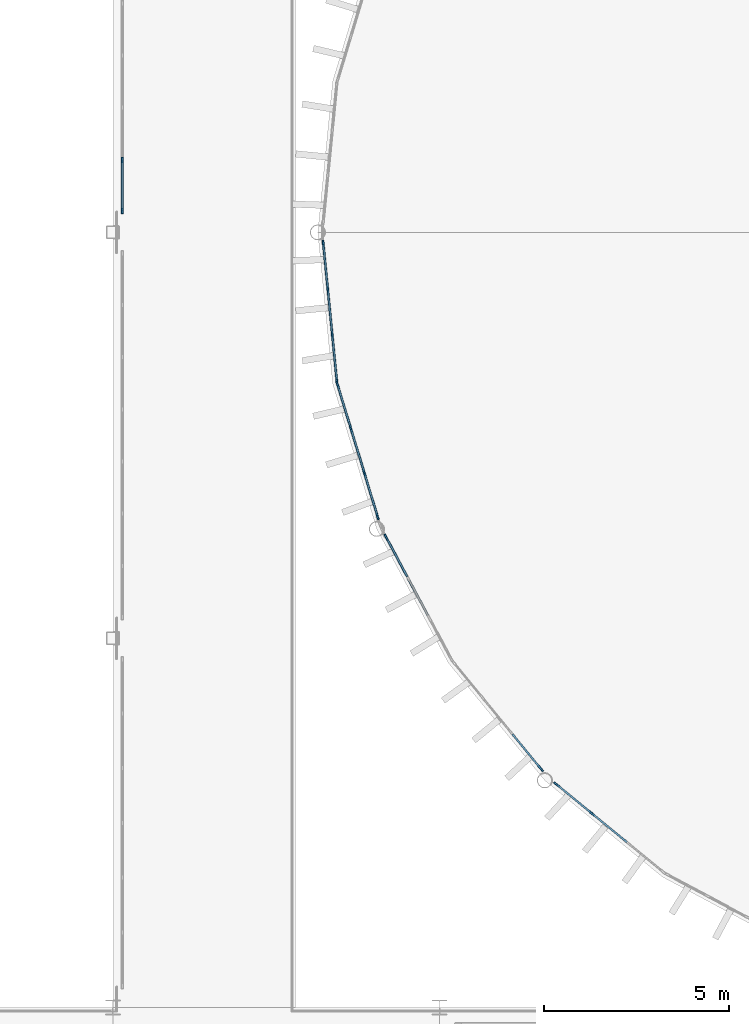
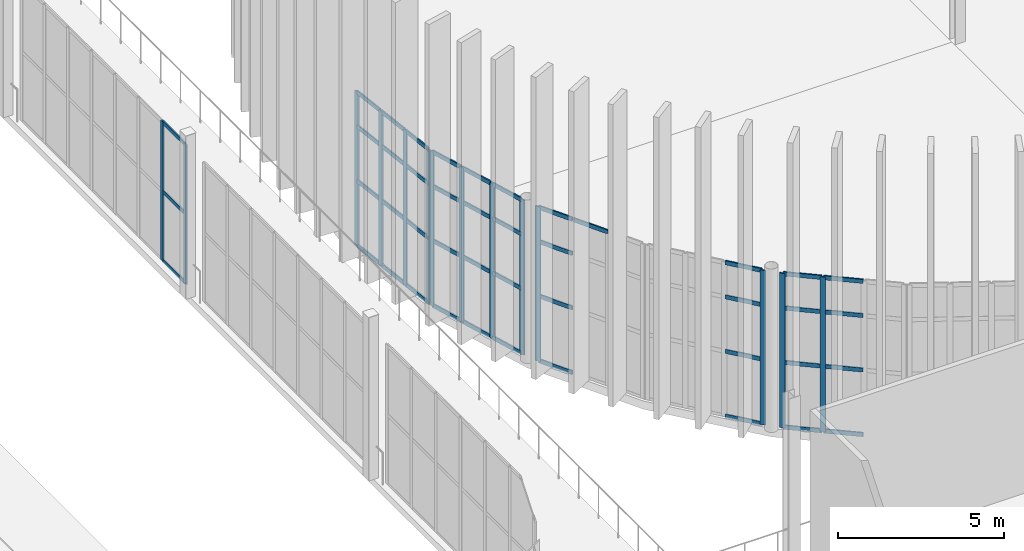
# One storey, part 42 of 139: 58 members, 6 elements without a shape of their own.
"""IFC4 building model written with IfcOpenShell, lengths in metres."""

import ifcopenshell
import ifcopenshell.guid

model = None  # the IFC model being written
_history = None  # IfcOwnerHistory: only IFC2X3 demands one
_inside = {}  # id of a spatial element -> (the spatial element, [elements in it])
_under = {}  # id of a project, library or spatial element -> (it, [spatial elements below it])
_declared = {}  # id of a project -> (the project, [libraries it declares])
_typed = {}  # id of a type object -> (the type object, [elements of that type])
_made_of = {}  # id of a material, layer set ... -> (it, [elements and type objects made of it])


def new_model(schema):
    """Start an empty IFC model of exactly this schema.

    Asked for "IFC4X3", IfcOpenShell would pick the latest addendum, in which some entities
    have other attributes; the version numbers below select the first issue.
    IFC2X3 requires an IfcOwnerHistory on every rooted entity: one is made here for all.
    """
    global model, _history
    if schema == "IFC4X3":
        model = ifcopenshell.file(schema_version=(4, 3, 0, 0))
    else:
        model = ifcopenshell.file(schema=schema)
    _inside.clear()
    _under.clear()
    _declared.clear()
    _typed.clear()
    _made_of.clear()
    _history = None
    if model.schema == "IFC2X3":
        org = make("IfcOrganization", Name="unknown")
        user = make(
            "IfcPersonAndOrganization",
            ThePerson=make("IfcPerson", FamilyName="unknown"),
            TheOrganization=org,
        )
        app = make(
            "IfcApplication",
            ApplicationDeveloper=org,
            Version="unknown",
            ApplicationFullName="unknown",
            ApplicationIdentifier="unknown",
        )
        _history = make(
            "IfcOwnerHistory",
            OwningUser=user,
            OwningApplication=app,
            ChangeAction="ADDED",
            CreationDate=0,
        )
    return model


def make(cls, **values):
    """One entity of the class cls with the attributes given. An attribute that is None is left unset."""
    return model.create_entity(
        cls, **{name: value for name, value in values.items() if value is not None}
    )


def rooted(cls, **values):
    """An entity with a GlobalId (a new one), such as an element, a storey or a relation."""
    return make(cls, GlobalId=ifcopenshell.guid.new(), OwnerHistory=_history, **values)


def si_unit(unit_type, name, prefix=None):
    """IfcSIUnit, for example si_unit("LENGTHUNIT", "METRE", prefix="MILLI")."""
    return make("IfcSIUnit", UnitType=unit_type, Prefix=prefix, Name=name)


def assignment(units):
    """IfcUnitAssignment: the units of a project."""
    return None if units is None else make("IfcUnitAssignment", Units=units)


def point(xyz):
    """IfcCartesianPoint."""
    return None if xyz is None else make("IfcCartesianPoint", Coordinates=xyz)


def direction(xyz):
    """IfcDirection."""
    return None if xyz is None else make("IfcDirection", DirectionRatios=xyz)


def frame(location, z_axis=None, x_axis=None):
    """IfcAxis2Placement3D, a coordinate frame: its origin and axes. An axis left out is left unset."""
    return make(
        "IfcAxis2Placement3D",
        Location=point(location),
        Axis=direction(z_axis),
        RefDirection=direction(x_axis),
    )


def frame_2d(location, x_axis=None):
    """IfcAxis2Placement2D, a coordinate frame in the plane: its origin and x axis."""
    return make(
        "IfcAxis2Placement2D", Location=point(location), RefDirection=direction(x_axis)
    )


def origin():
    """The frame at (0, 0, 0) with its axes left unset."""
    return frame((0.0, 0.0, 0.0))


def origin_2d():
    """The frame at (0, 0) in the plane with its x axis left unset."""
    return frame_2d((0.0, 0.0))


def place(relative_to, where):
    """IfcLocalPlacement: puts the frame where relative to a parent placement (None: the world)."""
    return make(
        "IfcLocalPlacement", PlacementRelTo=relative_to, RelativePlacement=where
    )


def context(
    kind, dimensions, precision=None, world=None, true_north=None, identifier=None
):
    """IfcGeometricRepresentationContext, for example the 3D "Model" context."""
    return make(
        "IfcGeometricRepresentationContext",
        ContextIdentifier=identifier,
        ContextType=kind,
        CoordinateSpaceDimension=dimensions,
        Precision=precision,
        WorldCoordinateSystem=world,
        TrueNorth=true_north,
    )


def subcontext(parent, identifier, kind, view, scale=None):
    """IfcGeometricRepresentationSubContext, for example "Body" below "Model"."""
    return make(
        "IfcGeometricRepresentationSubContext",
        ContextIdentifier=identifier,
        ContextType=kind,
        ParentContext=parent,
        TargetScale=scale,
        TargetView=view,
    )


def project(units=None, contexts=None):
    """IfcProject with its units and contexts."""
    return rooted(
        "IfcProject",
        Name="project",
        RepresentationContexts=contexts,
        UnitsInContext=assignment(units),
    )


def spatial(cls, under=None, at=None, **own):
    """A site, building, storey or space (cls), placed at a placement, below another one or the project."""
    s = rooted(cls, ObjectPlacement=at, **own)
    if under is not None:
        _under.setdefault(under.id(), (under, []))[1].append(s)
    return s


def profile(cls, at=None, kind="AREA", **sizes):
    """A parametric profile (cls). Its sizes go by their IFC names, for example OverallWidth=200.0."""
    return make(cls, ProfileType=kind, Position=at, **sizes)


def rectangle(**sizes):
    """IfcRectangleProfileDef."""
    return profile("IfcRectangleProfileDef", **sizes)


def extrude(swept, where, along, depth):
    """IfcExtrudedAreaSolid: the profile swept, set in the frame where, extruded along a direction by depth."""
    return make(
        "IfcExtrudedAreaSolid",
        SweptArea=swept,
        Position=where,
        ExtrudedDirection=direction(along),
        Depth=depth,
    )


def shape(context_of_items, identifier, shape_type, items):
    """IfcShapeRepresentation: the items that make up one representation, for example the "Body"."""
    return make(
        "IfcShapeRepresentation",
        ContextOfItems=context_of_items,
        RepresentationIdentifier=identifier,
        RepresentationType=shape_type,
        Items=items,
    )


def material(Name=None, Category=None):
    """IfcMaterial."""
    return make("IfcMaterial", Name=Name, Category=Category)


def layer(
    of_material, thickness, ventilated=None, Name=None, Category=None, Priority=None
):
    """IfcMaterialLayer: one layer of a wall or slab, of a material (None: an air gap)."""
    return make(
        "IfcMaterialLayer",
        Material=of_material,
        LayerThickness=thickness,
        IsVentilated=ventilated,
        Name=Name,
        Category=Category,
        Priority=Priority,
    )


def layer_set(layers, Name=None):
    """IfcMaterialLayerSet."""
    return make("IfcMaterialLayerSet", MaterialLayers=layers, LayerSetName=Name)


def material_profile(
    of_material, cross_section, Name=None, Category=None, Priority=None
):
    """IfcMaterialProfile: a cross section and its material."""
    return make(
        "IfcMaterialProfile",
        Name=Name,
        Material=of_material,
        Profile=cross_section,
        Priority=Priority,
        Category=Category,
    )


def profile_set(profiles, Name=None, composite=None):
    """IfcMaterialProfileSet."""
    return make(
        "IfcMaterialProfileSet",
        Name=Name,
        MaterialProfiles=profiles,
        CompositeProfile=composite,
    )


def made_of(thing, what):
    """Note that an element or type object is made of a material, layer set ...; save() writes the relation."""
    if what is not None:
        _made_of.setdefault(what.id(), (what, []))[1].append(thing)
    return thing


def type_object(cls, material=None, **own):
    """A type object (cls), such as IfcWallType, which elements share."""
    return made_of(rooted(cls, **own), material)


def element(
    cls,
    number,
    at=None,
    inside=None,
    cuts=None,
    type_object=None,
    material=None,
    context=None,
    identifier="Body",
    shape_type=None,
    held_by="IfcProductDefinitionShape",
    body=None,
    shapes=None,
    **own,
):
    """One element of the class cls, such as IfcWall. Its Tag is "e" and its number.

    at: its placement. inside: the storey or other place that contains it. cuts: it is an
    opening in that element (IfcRelVoidsElement). A single representation is given by context,
    identifier, shape_type and body (its items); several are given by shapes. held_by: the class
    of the entity that holds the representations. save() writes the other relations.
    """
    e = rooted(cls, Tag="e%d" % number, ObjectPlacement=at, **own)
    if body is not None:
        shapes = [shape(context, identifier, shape_type, body)]
    if shapes is not None:
        e.Representation = make(held_by, Representations=shapes)
    if inside is not None:
        _inside.setdefault(inside.id(), (inside, []))[1].append(e)
    if cuts is not None:
        rooted(
            "IfcRelVoidsElement", RelatingBuildingElement=cuts, RelatedOpeningElement=e
        )
    if type_object is not None:
        _typed.setdefault(type_object.id(), (type_object, []))[1].append(e)
    return made_of(e, material)


def aggregate(whole, parts):
    """IfcRelAggregates: a whole, such as a stair, and the parts it consists of."""
    return rooted("IfcRelAggregates", RelatingObject=whole, RelatedObjects=parts)


def save(model, path):
    """Write the relations noted so far, then the file.

    IfcRelAggregates (storeys below a building ...), IfcRelContainedInSpatialStructure (elements
    in a storey), IfcRelDefinesByType, IfcRelAssociatesMaterial and IfcRelDeclares: one each for
    every whole, place, type object, material and project.
    """
    for whole, parts in _under.values():
        aggregate(whole, parts)
    for where, things in _inside.values():
        rooted(
            "IfcRelContainedInSpatialStructure",
            RelatedElements=things,
            RelatingStructure=where,
        )
    for kind, things in _typed.values():
        rooted("IfcRelDefinesByType", RelatedObjects=things, RelatingType=kind)
    for what, things in _made_of.values():
        rooted("IfcRelAssociatesMaterial", RelatedObjects=things, RelatingMaterial=what)
    for by, libraries in _declared.values():
        rooted("IfcRelDeclares", RelatingContext=by, RelatedDefinitions=libraries)
    model.write(path)


model = new_model("IFC4")

# Units and contexts
model_context = context("Model", 3, precision=1e-05, world=origin(), true_north=direction((0.0, 1.0)))
body_context = subcontext(model_context, "Body", "Model", "MODEL_VIEW")
ifc_project = project(units=[si_unit("LENGTHUNIT", "METRE"), si_unit("AREAUNIT", "SQUARE_METRE"), si_unit("VOLUMEUNIT", "CUBIC_METRE"), si_unit("PLANEANGLEUNIT", "RADIAN"), si_unit("MASSUNIT", "GRAM", prefix="KILO")], contexts=[model_context])

# Site, building, storey
site_placement = place(None, origin())
site = spatial("IfcSite", under=ifc_project, at=site_placement, CompositionType="ELEMENT")
building_placement = place(site_placement, origin())
building = spatial("IfcBuilding", under=site, at=building_placement, Name="Yeouljin Market Hall", CompositionType="ELEMENT")
storey_placement = place(building_placement, origin())
storey = spatial("IfcBuildingStorey", under=building, at=storey_placement, Name="L00", CompositionType="ELEMENT", Elevation=0.0)

# Curtain wall, members
ifc_material_1 = material(Name="Thermally Broken Aluminium", Category="aluminium")
ifc_layer_1 = layer(ifc_material_1, 0.14990234375)
ifc_layer_set_1 = layer_set([ifc_layer_1], Name="Thermally Broken Aluminium")
curtain_wall_type_1 = type_object("IfcCurtainWallType", Name="CW_WingStorefront_System", PredefinedType="USERDEFINED", material=ifc_layer_set_1)
curtain_wall_1_placement = place(storey_placement, origin())
curtain_wall_1 = element("IfcCurtainWall", 1, at=curtain_wall_1_placement, inside=storey, type_object=curtain_wall_type_1, Name="Curtain wall CW-CRT-L00-07", ObjectType="CURTAIN WALL", PredefinedType="USERDEFINED")
ifc_material_2 = material(Name="Thermally Broken Aluminium", Category="aluminium")
ifc_material_profile_1 = material_profile(ifc_material_2, rectangle(XDim=0.048095703125, YDim=0.14990234375, at=origin_2d()), Name="CW-MULL-48x150")
ifc_profile_set_1 = profile_set([ifc_material_profile_1], Name="Thermally Broken Aluminium")
member_type_1 = type_object("IfcMemberType", Name="CWMullion_48x150", PredefinedType="MULLION", material=ifc_profile_set_1)
member_1_placement = place(storey_placement, frame((9.10009765625, 57.573974609375, 0.0), z_axis=(0.0, 0.0, 1.0), x_axis=(-1.0, 0.0, 0.0)))
member_1 = element("IfcMember", 2, at=member_1_placement, type_object=member_type_1, Name="CW-04 mullion 1", PredefinedType="MULLION", context=body_context, shape_type="SweptSolid", body=[
    extrude(rectangle(XDim=0.048095703125, YDim=0.14990234375, at=origin_2d()), origin(), (0.0, 0.0, 1.0), 5.1201171875),
])
member_2_placement = place(storey_placement, frame((9.10009765625, 58.96435546875, 0.0), z_axis=(0.0, 0.0, 1.0), x_axis=(-1.0, 0.0, 0.0)))
member_2 = element("IfcMember", 3, at=member_2_placement, type_object=member_type_1, Name="CW-04 mullion 2", PredefinedType="MULLION", context=body_context, shape_type="SweptSolid", body=[
    extrude(rectangle(XDim=0.048095703125, YDim=0.14990234375, at=origin_2d()), origin(), (0.0, 0.0, 1.0), 5.1201171875),
])

ifc_material_3 = material(Name="Thermally Broken Aluminium", Category="aluminium")
ifc_layer_2 = layer(ifc_material_3, 0.179931640625)
ifc_layer_set_2 = layer_set([ifc_layer_2], Name="Thermally Broken Aluminium")
curtain_wall_type_2 = type_object("IfcCurtainWallType", Name="CW_ApseCurved_System", PredefinedType="USERDEFINED", material=ifc_layer_set_2)
curtain_wall_2_placement = place(storey_placement, origin())
curtain_wall_2 = element("IfcCurtainWall", 4, at=curtain_wall_2_placement, inside=storey, type_object=curtain_wall_type_2, Name="Curtain wall CW-AP-WL00-04", ObjectType="CURTAIN WALL", PredefinedType="USERDEFINED")
ifc_material_4 = material(Name="Thermally Broken Aluminium", Category="aluminium")
ifc_material_profile_2 = material_profile(ifc_material_4, rectangle(XDim=0.048095703125, YDim=0.179931640625, at=origin_2d()), Name="CW-MULL-48x180")
ifc_profile_set_2 = profile_set([ifc_material_profile_2], Name="Thermally Broken Aluminium")
member_type_2 = type_object("IfcMemberType", Name="CWMullion_48x180", PredefinedType="MULLION", material=ifc_profile_set_2)
member_3_placement = place(storey_placement, frame((21.82421875, 41.260009765625, 0.0), z_axis=(0.0, 0.0, 1.0), x_axis=(-0.634384432096, -0.773017717982, 0.0)))
member_3 = element("IfcMember", 5, at=member_3_placement, type_object=member_type_2, Name="CW-03 mullion 3", PredefinedType="MULLION", context=body_context, shape_type="SweptSolid", body=[
    extrude(rectangle(XDim=0.048095703125, YDim=0.179931640625, at=origin_2d()), origin(), (0.0, 0.0, 1.0), 5.679931640625),
])
member_4_placement = place(storey_placement, frame((20.87060546875, 42.042724609375, 0.0), z_axis=(0.0, 0.0, 1.0), x_axis=(-0.634384432096, -0.773017717982, 0.0)))
member_4 = element("IfcMember", 6, at=member_4_placement, type_object=member_type_2, Name="CW-03 mullion 4", PredefinedType="MULLION", context=body_context, shape_type="SweptSolid", body=[
    extrude(rectangle(XDim=0.048095703125, YDim=0.179931640625, at=origin_2d()), origin(), (0.0, 0.0, 1.0), 5.679931640625),
])

# Curtain wall, member
curtain_wall_3_placement = place(storey_placement, origin())
curtain_wall_3 = element("IfcCurtainWall", 7, at=curtain_wall_3_placement, inside=storey, type_object=curtain_wall_type_2, Name="Curtain wall CW-AP-WL00-05", ObjectType="CURTAIN WALL", PredefinedType="USERDEFINED")
member_5_placement = place(storey_placement, frame((20.44287109375, 42.470458984375, 0.0), z_axis=(0.0, 0.0, 1.0), x_axis=(-0.773017717982, -0.634384432096, 0.0)))
member_5 = element("IfcMember", 8, at=member_5_placement, type_object=member_type_2, Name="CW-03 mullion 1", PredefinedType="MULLION", context=body_context, shape_type="SweptSolid", body=[
    extrude(rectangle(XDim=0.048095703125, YDim=0.179931640625, at=origin_2d()), origin(), (0.0, 0.0, 1.0), 5.679931640625),
])

curtain_wall_4_placement = place(storey_placement, origin())
curtain_wall_4 = element("IfcCurtainWall", 9, at=curtain_wall_4_placement, inside=storey, type_object=curtain_wall_type_2, Name="Curtain wall CW-AP-WL00-06", ObjectType="CURTAIN WALL", PredefinedType="USERDEFINED")
member_6_placement = place(storey_placement, frame((16.252685546875, 48.741455078125, 0.0), z_axis=(0.0, 0.0, 1.0), x_axis=(-0.881931478712, -0.471377626598, 0.0)))
member_6 = element("IfcMember", 10, at=member_6_placement, type_object=member_type_2, Name="CW-03 mullion 4", PredefinedType="MULLION", context=body_context, shape_type="SweptSolid", body=[
    extrude(rectangle(XDim=0.048095703125, YDim=0.179931640625, at=origin_2d()), origin(), (0.0, 0.0, 1.0), 5.679931640625),
])

# Curtain wall, members
curtain_wall_5_placement = place(storey_placement, origin())
curtain_wall_5 = element("IfcCurtainWall", 11, at=curtain_wall_5_placement, inside=storey, type_object=curtain_wall_type_2, Name="Curtain wall CW-AP-WL00-07", ObjectType="CURTAIN WALL", PredefinedType="USERDEFINED")
member_7_placement = place(storey_placement, frame((16.021240234375, 49.300537109375, 0.0), z_axis=(0.0, 0.0, 1.0), x_axis=(-0.95693988447, -0.290286164863, 0.0)))
member_7 = element("IfcMember", 12, at=member_7_placement, type_object=member_type_2, Name="CW-03 mullion 1", PredefinedType="MULLION", context=body_context, shape_type="SweptSolid", body=[
    extrude(rectangle(XDim=0.048095703125, YDim=0.179931640625, at=origin_2d()), origin(), (0.0, 0.0, 1.0), 5.679931640625),
])
member_8_placement = place(storey_placement, frame((15.6630859375, 50.48095703125, 0.0), z_axis=(0.0, 0.0, 1.0), x_axis=(-0.95693988447, -0.290286164863, 0.0)))
member_8 = element("IfcMember", 13, at=member_8_placement, type_object=member_type_2, Name="CW-03 mullion 2", PredefinedType="MULLION", context=body_context, shape_type="SweptSolid", body=[
    extrude(rectangle(XDim=0.048095703125, YDim=0.179931640625, at=origin_2d()), origin(), (0.0, 0.0, 1.0), 5.679931640625),
])
member_9_placement = place(storey_placement, frame((15.2978515625, 51.6845703125, 0.0), z_axis=(0.0, 0.0, 1.0), x_axis=(-0.95693988447, -0.290286164863, 0.0)))
member_9 = element("IfcMember", 14, at=member_9_placement, type_object=member_type_2, Name="CW-03 mullion 3", PredefinedType="MULLION", context=body_context, shape_type="SweptSolid", body=[
    extrude(rectangle(XDim=0.048095703125, YDim=0.179931640625, at=origin_2d()), origin(), (0.0, 0.0, 1.0), 5.679931640625),
])
member_10_placement = place(storey_placement, frame((14.939697265625, 52.865234375, 0.0), z_axis=(0.0, 0.0, 1.0), x_axis=(-0.95693988447, -0.290286164863, 0.0)))
member_10 = element("IfcMember", 15, at=member_10_placement, type_object=member_type_2, Name="CW-03 mullion 4", PredefinedType="MULLION", context=body_context, shape_type="SweptSolid", body=[
    extrude(rectangle(XDim=0.048095703125, YDim=0.179931640625, at=origin_2d()), origin(), (0.0, 0.0, 1.0), 5.679931640625),
])

curtain_wall_6_placement = place(storey_placement, origin())
curtain_wall_6 = element("IfcCurtainWall", 16, at=curtain_wall_6_placement, inside=storey, type_object=curtain_wall_type_2, Name="Curtain wall CW-AP-WL00-08", ObjectType="CURTAIN WALL", PredefinedType="USERDEFINED")
member_11_placement = place(storey_placement, frame((14.9150390625, 52.990234375, 0.0), z_axis=(0.0, 0.0, 1.0), x_axis=(-0.995183051807, -0.09803414403, 0.0)))
member_11 = element("IfcMember", 17, at=member_11_placement, type_object=member_type_2, Name="CW-03 mullion 1", PredefinedType="MULLION", context=body_context, shape_type="SweptSolid", body=[
    extrude(rectangle(XDim=0.048095703125, YDim=0.179931640625, at=origin_2d()), origin(), (0.0, 0.0, 1.0), 5.679931640625),
])
member_12_placement = place(storey_placement, frame((14.7939453125, 54.218017578125, 0.0), z_axis=(0.0, 0.0, 1.0), x_axis=(-0.995183051807, -0.09803414403, 0.0)))
member_12 = element("IfcMember", 18, at=member_12_placement, type_object=member_type_2, Name="CW-03 mullion 2", PredefinedType="MULLION", context=body_context, shape_type="SweptSolid", body=[
    extrude(rectangle(XDim=0.048095703125, YDim=0.179931640625, at=origin_2d()), origin(), (0.0, 0.0, 1.0), 5.679931640625),
])
member_13_placement = place(storey_placement, frame((14.670654296875, 55.4697265625, 0.0), z_axis=(0.0, 0.0, 1.0), x_axis=(-0.995183051807, -0.09803414403, 0.0)))
member_13 = element("IfcMember", 19, at=member_13_placement, type_object=member_type_2, Name="CW-03 mullion 3", PredefinedType="MULLION", context=body_context, shape_type="SweptSolid", body=[
    extrude(rectangle(XDim=0.048095703125, YDim=0.179931640625, at=origin_2d()), origin(), (0.0, 0.0, 1.0), 5.679931640625),
])
member_14_placement = place(storey_placement, frame((14.5498046875, 56.697509765625, 0.0), z_axis=(0.0, 0.0, 1.0), x_axis=(-0.995183051807, -0.09803414403, 0.0)))
member_14 = element("IfcMember", 20, at=member_14_placement, type_object=member_type_2, Name="CW-03 mullion 4", PredefinedType="MULLION", context=body_context, shape_type="SweptSolid", body=[
    extrude(rectangle(XDim=0.048095703125, YDim=0.179931640625, at=origin_2d()), origin(), (0.0, 0.0, 1.0), 5.679931640625),
])

# Member
ifc_material_5 = material(Name="Thermally Broken Aluminium", Category="aluminium")
ifc_material_profile_3 = material_profile(ifc_material_5, rectangle(XDim=0.048095703125, YDim=0.1201171875, at=origin_2d()), Name="CW-TRAN-48x120")
ifc_profile_set_3 = profile_set([ifc_material_profile_3], Name="Thermally Broken Aluminium")
member_type_3 = type_object("IfcMemberType", Name="CWTransom_48x120", PredefinedType="USERDEFINED", material=ifc_profile_set_3)
member_15_placement = place(storey_placement, frame((9.10009765625, 57.597900390625, 0.02392578125), z_axis=(0.0, 1.0, 0.0), x_axis=(-1.0, 0.0, 0.0)))
member_15 = element("IfcMember", 21, at=member_15_placement, type_object=member_type_3, Name="CW-04 transom 1.1", ObjectType="TRANSOM", PredefinedType="USERDEFINED", context=body_context, shape_type="SweptSolid", body=[
    extrude(rectangle(XDim=0.048095703125, YDim=0.1201171875, at=origin_2d()), origin(), (0.0, 0.0, 1.0), 1.34228515625),
])

member_16_placement = place(storey_placement, frame((9.10009765625, 57.597900390625, 2.56005859375), z_axis=(0.0, 1.0, 0.0), x_axis=(-1.0, 0.0, 0.0)))
member_16 = element("IfcMember", 22, at=member_16_placement, type_object=member_type_3, Name="CW-04 transom 1.2", ObjectType="TRANSOM", PredefinedType="USERDEFINED", context=body_context, shape_type="SweptSolid", body=[
    extrude(rectangle(XDim=0.048095703125, YDim=0.1201171875, at=origin_2d()), origin(), (0.0, 0.0, 1.0), 1.34228515625),
])

member_17_placement = place(storey_placement, frame((9.10009765625, 57.597900390625, 5.095947265625), z_axis=(0.0, 1.0, 0.0), x_axis=(-1.0, 0.0, 0.0)))
member_17 = element("IfcMember", 23, at=member_17_placement, type_object=member_type_3, Name="CW-04 transom 1.3", ObjectType="TRANSOM", PredefinedType="USERDEFINED", context=body_context, shape_type="SweptSolid", body=[
    extrude(rectangle(XDim=0.048095703125, YDim=0.1201171875, at=origin_2d()), origin(), (0.0, 0.0, 1.0), 1.34228515625),
])

aggregate(curtain_wall_1, [member_1, member_2, member_15, member_16, member_17])

ifc_material_6 = material(Name="Thermally Broken Aluminium", Category="aluminium")
ifc_material_profile_4 = material_profile(ifc_material_6, rectangle(XDim=0.048095703125, YDim=0.14990234375, at=origin_2d()), Name="CW-TRAN-48x150")
ifc_profile_set_4 = profile_set([ifc_material_profile_4], Name="Thermally Broken Aluminium")
member_type_4 = type_object("IfcMemberType", Name="CWTransom_48x150", PredefinedType="USERDEFINED", material=ifc_profile_set_4)
member_18_placement = place(storey_placement, frame((22.778076171875, 40.4775390625, 0.02392578125), z_axis=(-0.773111430371, 0.634270223351, 0.0), x_axis=(-0.634270223351, -0.773111430371, 0.0)))
member_18 = element("IfcMember", 24, at=member_18_placement, type_object=member_type_4, Name="CW-03 transom 2.1", ObjectType="TRANSOM", PredefinedType="USERDEFINED", context=body_context, shape_type="SweptSolid", body=[
    extrude(rectangle(XDim=0.048095703125, YDim=0.14990234375, at=origin_2d()), origin(), (0.0, 0.0, 1.0), 1.209716796875),
])

member_19_placement = place(storey_placement, frame((22.778076171875, 40.4775390625, 2.39990234375), z_axis=(-0.773111430371, 0.634270223351, 0.0), x_axis=(-0.634270223351, -0.773111430371, 0.0)))
member_19 = element("IfcMember", 25, at=member_19_placement, type_object=member_type_4, Name="CW-03 transom 2.2", ObjectType="TRANSOM", PredefinedType="USERDEFINED", context=body_context, shape_type="SweptSolid", body=[
    extrude(rectangle(XDim=0.048095703125, YDim=0.14990234375, at=origin_2d()), origin(), (0.0, 0.0, 1.0), 1.209716796875),
])

member_20_placement = place(storey_placement, frame((22.778076171875, 40.4775390625, 4.39990234375), z_axis=(-0.773111430371, 0.634270223351, 0.0), x_axis=(-0.634270223351, -0.773111430371, 0.0)))
member_20 = element("IfcMember", 26, at=member_20_placement, type_object=member_type_4, Name="CW-03 transom 2.3", ObjectType="TRANSOM", PredefinedType="USERDEFINED", context=body_context, shape_type="SweptSolid", body=[
    extrude(rectangle(XDim=0.048095703125, YDim=0.14990234375, at=origin_2d()), origin(), (0.0, 0.0, 1.0), 1.209716796875),
])

member_21_placement = place(storey_placement, frame((22.778076171875, 40.4775390625, 5.656005859375), z_axis=(-0.773111430371, 0.634270223351, 0.0), x_axis=(-0.634270223351, -0.773111430371, 0.0)))
member_21 = element("IfcMember", 27, at=member_21_placement, type_object=member_type_4, Name="CW-03 transom 2.4", ObjectType="TRANSOM", PredefinedType="USERDEFINED", context=body_context, shape_type="SweptSolid", body=[
    extrude(rectangle(XDim=0.048095703125, YDim=0.14990234375, at=origin_2d()), origin(), (0.0, 0.0, 1.0), 1.209716796875),
])

member_22_placement = place(storey_placement, frame((21.8056640625, 41.275390625, 0.02392578125), z_axis=(-0.77299310317, 0.634414424845, 0.0), x_axis=(-0.634414424845, -0.77299310317, 0.0)))
member_22 = element("IfcMember", 28, at=member_22_placement, type_object=member_type_4, Name="CW-03 transom 3.1", ObjectType="TRANSOM", PredefinedType="USERDEFINED", context=body_context, shape_type="SweptSolid", body=[
    extrude(rectangle(XDim=0.048095703125, YDim=0.14990234375, at=origin_2d()), origin(), (0.0, 0.0, 1.0), 1.185546875),
])

member_23_placement = place(storey_placement, frame((21.8056640625, 41.275390625, 2.39990234375), z_axis=(-0.77299310317, 0.634414424845, 0.0), x_axis=(-0.634414424845, -0.77299310317, 0.0)))
member_23 = element("IfcMember", 29, at=member_23_placement, type_object=member_type_4, Name="CW-03 transom 3.2", ObjectType="TRANSOM", PredefinedType="USERDEFINED", context=body_context, shape_type="SweptSolid", body=[
    extrude(rectangle(XDim=0.048095703125, YDim=0.14990234375, at=origin_2d()), origin(), (0.0, 0.0, 1.0), 1.185546875),
])

member_24_placement = place(storey_placement, frame((21.8056640625, 41.275390625, 4.39990234375), z_axis=(-0.77299310317, 0.634414424845, 0.0), x_axis=(-0.634414424845, -0.77299310317, 0.0)))
member_24 = element("IfcMember", 30, at=member_24_placement, type_object=member_type_4, Name="CW-03 transom 3.3", ObjectType="TRANSOM", PredefinedType="USERDEFINED", context=body_context, shape_type="SweptSolid", body=[
    extrude(rectangle(XDim=0.048095703125, YDim=0.14990234375, at=origin_2d()), origin(), (0.0, 0.0, 1.0), 1.185546875),
])

member_25_placement = place(storey_placement, frame((21.8056640625, 41.275390625, 5.656005859375), z_axis=(-0.77299310317, 0.634414424845, 0.0), x_axis=(-0.634414424845, -0.77299310317, 0.0)))
member_25 = element("IfcMember", 31, at=member_25_placement, type_object=member_type_4, Name="CW-03 transom 3.4", ObjectType="TRANSOM", PredefinedType="USERDEFINED", context=body_context, shape_type="SweptSolid", body=[
    extrude(rectangle(XDim=0.048095703125, YDim=0.14990234375, at=origin_2d()), origin(), (0.0, 0.0, 1.0), 1.185546875),
])

aggregate(curtain_wall_2, [member_3, member_4, member_18, member_19, member_20, member_21, member_22, member_23, member_24, member_25])

member_26_placement = place(storey_placement, frame((20.427490234375, 42.489013671875, 0.02392578125), z_axis=(-0.634313456748, 0.773075959133, 0.0), x_axis=(-0.773075959133, -0.634313456748, 0.0)))
member_26 = element("IfcMember", 32, at=member_26_placement, type_object=member_type_4, Name="CW-03 transom 1.1", ObjectType="TRANSOM", PredefinedType="USERDEFINED", context=body_context, shape_type="SweptSolid", body=[
    extrude(rectangle(XDim=0.048095703125, YDim=0.14990234375, at=origin_2d()), origin(), (0.0, 0.0, 1.0), 1.185791015625),
])

member_27_placement = place(storey_placement, frame((20.427490234375, 42.489013671875, 2.39990234375), z_axis=(-0.634313456748, 0.773075959133, 0.0), x_axis=(-0.773075959133, -0.634313456748, 0.0)))
member_27 = element("IfcMember", 33, at=member_27_placement, type_object=member_type_4, Name="CW-03 transom 1.2", ObjectType="TRANSOM", PredefinedType="USERDEFINED", context=body_context, shape_type="SweptSolid", body=[
    extrude(rectangle(XDim=0.048095703125, YDim=0.14990234375, at=origin_2d()), origin(), (0.0, 0.0, 1.0), 1.185791015625),
])

member_28_placement = place(storey_placement, frame((20.427490234375, 42.489013671875, 4.39990234375), z_axis=(-0.634313456748, 0.773075959133, 0.0), x_axis=(-0.773075959133, -0.634313456748, 0.0)))
member_28 = element("IfcMember", 34, at=member_28_placement, type_object=member_type_4, Name="CW-03 transom 1.3", ObjectType="TRANSOM", PredefinedType="USERDEFINED", context=body_context, shape_type="SweptSolid", body=[
    extrude(rectangle(XDim=0.048095703125, YDim=0.14990234375, at=origin_2d()), origin(), (0.0, 0.0, 1.0), 1.185791015625),
])

member_29_placement = place(storey_placement, frame((20.427490234375, 42.489013671875, 5.656005859375), z_axis=(-0.634313456748, 0.773075959133, 0.0), x_axis=(-0.773075959133, -0.634313456748, 0.0)))
member_29 = element("IfcMember", 35, at=member_29_placement, type_object=member_type_4, Name="CW-03 transom 1.4", ObjectType="TRANSOM", PredefinedType="USERDEFINED", context=body_context, shape_type="SweptSolid", body=[
    extrude(rectangle(XDim=0.048095703125, YDim=0.14990234375, at=origin_2d()), origin(), (0.0, 0.0, 1.0), 1.185791015625),
])

aggregate(curtain_wall_3, [member_5, member_26, member_27, member_28, member_29])

member_30_placement = place(storey_placement, frame((17.415771484375, 46.5654296875, 5.656005859375), z_axis=(-0.471425984611, 0.881905630458, 0.0), x_axis=(-0.881905630458, -0.471425984611, 0.0)))
member_30 = element("IfcMember", 36, at=member_30_placement, type_object=member_type_4, Name="CW-03 transom 2.4", ObjectType="TRANSOM", PredefinedType="USERDEFINED", context=body_context, shape_type="SweptSolid", body=[
    extrude(rectangle(XDim=0.048095703125, YDim=0.14990234375, at=origin_2d()), origin(), (0.0, 0.0, 1.0), 1.209716796875),
])

member_31_placement = place(storey_placement, frame((16.822998046875, 47.674560546875, 0.02392578125), z_axis=(-0.471421441442, 0.881908059011, 0.0), x_axis=(-0.881908059011, -0.471421441442, 0.0)))
member_31 = element("IfcMember", 37, at=member_31_placement, type_object=member_type_4, Name="CW-03 transom 3.1", ObjectType="TRANSOM", PredefinedType="USERDEFINED", context=body_context, shape_type="SweptSolid", body=[
    extrude(rectangle(XDim=0.048095703125, YDim=0.14990234375, at=origin_2d()), origin(), (0.0, 0.0, 1.0), 1.18603515625),
])

member_32_placement = place(storey_placement, frame((16.822998046875, 47.674560546875, 2.39990234375), z_axis=(-0.471421441442, 0.881908059011, 0.0), x_axis=(-0.881908059011, -0.471421441442, 0.0)))
member_32 = element("IfcMember", 38, at=member_32_placement, type_object=member_type_4, Name="CW-03 transom 3.2", ObjectType="TRANSOM", PredefinedType="USERDEFINED", context=body_context, shape_type="SweptSolid", body=[
    extrude(rectangle(XDim=0.048095703125, YDim=0.14990234375, at=origin_2d()), origin(), (0.0, 0.0, 1.0), 1.18603515625),
])

member_33_placement = place(storey_placement, frame((16.822998046875, 47.674560546875, 4.39990234375), z_axis=(-0.471421441442, 0.881908059011, 0.0), x_axis=(-0.881908059011, -0.471421441442, 0.0)))
member_33 = element("IfcMember", 39, at=member_33_placement, type_object=member_type_4, Name="CW-03 transom 3.3", ObjectType="TRANSOM", PredefinedType="USERDEFINED", context=body_context, shape_type="SweptSolid", body=[
    extrude(rectangle(XDim=0.048095703125, YDim=0.14990234375, at=origin_2d()), origin(), (0.0, 0.0, 1.0), 1.18603515625),
])

member_34_placement = place(storey_placement, frame((16.822998046875, 47.674560546875, 5.656005859375), z_axis=(-0.471421441442, 0.881908059011, 0.0), x_axis=(-0.881908059011, -0.471421441442, 0.0)))
member_34 = element("IfcMember", 40, at=member_34_placement, type_object=member_type_4, Name="CW-03 transom 3.4", ObjectType="TRANSOM", PredefinedType="USERDEFINED", context=body_context, shape_type="SweptSolid", body=[
    extrude(rectangle(XDim=0.048095703125, YDim=0.14990234375, at=origin_2d()), origin(), (0.0, 0.0, 1.0), 1.18603515625),
])

aggregate(curtain_wall_4, [member_6, member_30, member_31, member_32, member_33, member_34])

member_35_placement = place(storey_placement, frame((16.01416015625, 49.323486328125, 0.02392578125), z_axis=(-0.290350291671, 0.95692042936, 0.0), x_axis=(-0.95692042936, -0.290350291671, 0.0)))
member_35 = element("IfcMember", 41, at=member_35_placement, type_object=member_type_4, Name="CW-03 transom 1.1", ObjectType="TRANSOM", PredefinedType="USERDEFINED", context=body_context, shape_type="SweptSolid", body=[
    extrude(rectangle(XDim=0.048095703125, YDim=0.14990234375, at=origin_2d()), origin(), (0.0, 0.0, 1.0), 1.185546875),
])

member_36_placement = place(storey_placement, frame((16.01416015625, 49.323486328125, 2.39990234375), z_axis=(-0.290350291671, 0.95692042936, 0.0), x_axis=(-0.95692042936, -0.290350291671, 0.0)))
member_36 = element("IfcMember", 42, at=member_36_placement, type_object=member_type_4, Name="CW-03 transom 1.2", ObjectType="TRANSOM", PredefinedType="USERDEFINED", context=body_context, shape_type="SweptSolid", body=[
    extrude(rectangle(XDim=0.048095703125, YDim=0.14990234375, at=origin_2d()), origin(), (0.0, 0.0, 1.0), 1.185546875),
])

member_37_placement = place(storey_placement, frame((16.01416015625, 49.323486328125, 4.39990234375), z_axis=(-0.290350291671, 0.95692042936, 0.0), x_axis=(-0.95692042936, -0.290350291671, 0.0)))
member_37 = element("IfcMember", 43, at=member_37_placement, type_object=member_type_4, Name="CW-03 transom 1.3", ObjectType="TRANSOM", PredefinedType="USERDEFINED", context=body_context, shape_type="SweptSolid", body=[
    extrude(rectangle(XDim=0.048095703125, YDim=0.14990234375, at=origin_2d()), origin(), (0.0, 0.0, 1.0), 1.185546875),
])

member_38_placement = place(storey_placement, frame((16.01416015625, 49.323486328125, 5.656005859375), z_axis=(-0.290350291671, 0.95692042936, 0.0), x_axis=(-0.95692042936, -0.290350291671, 0.0)))
member_38 = element("IfcMember", 44, at=member_38_placement, type_object=member_type_4, Name="CW-03 transom 1.4", ObjectType="TRANSOM", PredefinedType="USERDEFINED", context=body_context, shape_type="SweptSolid", body=[
    extrude(rectangle(XDim=0.048095703125, YDim=0.14990234375, at=origin_2d()), origin(), (0.0, 0.0, 1.0), 1.185546875),
])

member_39_placement = place(storey_placement, frame((15.656005859375, 50.504150390625, 0.02392578125), z_axis=(-0.290253878276, 0.956949677959, 0.0), x_axis=(-0.956949677959, -0.290253878276, 0.0)))
member_39 = element("IfcMember", 45, at=member_39_placement, type_object=member_type_4, Name="CW-03 transom 2.1", ObjectType="TRANSOM", PredefinedType="USERDEFINED", context=body_context, shape_type="SweptSolid", body=[
    extrude(rectangle(XDim=0.048095703125, YDim=0.14990234375, at=origin_2d()), origin(), (0.0, 0.0, 1.0), 1.20947265625),
])

member_40_placement = place(storey_placement, frame((15.656005859375, 50.504150390625, 2.39990234375), z_axis=(-0.290253878276, 0.956949677959, 0.0), x_axis=(-0.956949677959, -0.290253878276, 0.0)))
member_40 = element("IfcMember", 46, at=member_40_placement, type_object=member_type_4, Name="CW-03 transom 2.2", ObjectType="TRANSOM", PredefinedType="USERDEFINED", context=body_context, shape_type="SweptSolid", body=[
    extrude(rectangle(XDim=0.048095703125, YDim=0.14990234375, at=origin_2d()), origin(), (0.0, 0.0, 1.0), 1.20947265625),
])

member_41_placement = place(storey_placement, frame((15.656005859375, 50.504150390625, 4.39990234375), z_axis=(-0.290253878276, 0.956949677959, 0.0), x_axis=(-0.956949677959, -0.290253878276, 0.0)))
member_41 = element("IfcMember", 47, at=member_41_placement, type_object=member_type_4, Name="CW-03 transom 2.3", ObjectType="TRANSOM", PredefinedType="USERDEFINED", context=body_context, shape_type="SweptSolid", body=[
    extrude(rectangle(XDim=0.048095703125, YDim=0.14990234375, at=origin_2d()), origin(), (0.0, 0.0, 1.0), 1.20947265625),
])

member_42_placement = place(storey_placement, frame((15.656005859375, 50.504150390625, 5.656005859375), z_axis=(-0.290253878276, 0.956949677959, 0.0), x_axis=(-0.956949677959, -0.290253878276, 0.0)))
member_42 = element("IfcMember", 48, at=member_42_placement, type_object=member_type_4, Name="CW-03 transom 2.4", ObjectType="TRANSOM", PredefinedType="USERDEFINED", context=body_context, shape_type="SweptSolid", body=[
    extrude(rectangle(XDim=0.048095703125, YDim=0.14990234375, at=origin_2d()), origin(), (0.0, 0.0, 1.0), 1.20947265625),
])

member_43_placement = place(storey_placement, frame((15.291015625, 51.70751953125, 0.02392578125), z_axis=(-0.290293088565, 0.956937784149, 0.0), x_axis=(-0.956937784149, -0.290293088565, 0.0)))
member_43 = element("IfcMember", 49, at=member_43_placement, type_object=member_type_4, Name="CW-03 transom 3.1", ObjectType="TRANSOM", PredefinedType="USERDEFINED", context=body_context, shape_type="SweptSolid", body=[
    extrude(rectangle(XDim=0.048095703125, YDim=0.14990234375, at=origin_2d()), origin(), (0.0, 0.0, 1.0), 1.185791015625),
])

member_44_placement = place(storey_placement, frame((15.291015625, 51.70751953125, 2.39990234375), z_axis=(-0.290293088565, 0.956937784149, 0.0), x_axis=(-0.956937784149, -0.290293088565, 0.0)))
member_44 = element("IfcMember", 50, at=member_44_placement, type_object=member_type_4, Name="CW-03 transom 3.2", ObjectType="TRANSOM", PredefinedType="USERDEFINED", context=body_context, shape_type="SweptSolid", body=[
    extrude(rectangle(XDim=0.048095703125, YDim=0.14990234375, at=origin_2d()), origin(), (0.0, 0.0, 1.0), 1.185791015625),
])

member_45_placement = place(storey_placement, frame((15.291015625, 51.70751953125, 4.39990234375), z_axis=(-0.290293088565, 0.956937784149, 0.0), x_axis=(-0.956937784149, -0.290293088565, 0.0)))
member_45 = element("IfcMember", 51, at=member_45_placement, type_object=member_type_4, Name="CW-03 transom 3.3", ObjectType="TRANSOM", PredefinedType="USERDEFINED", context=body_context, shape_type="SweptSolid", body=[
    extrude(rectangle(XDim=0.048095703125, YDim=0.14990234375, at=origin_2d()), origin(), (0.0, 0.0, 1.0), 1.185791015625),
])

member_46_placement = place(storey_placement, frame((15.291015625, 51.70751953125, 5.656005859375), z_axis=(-0.290293088565, 0.956937784149, 0.0), x_axis=(-0.956937784149, -0.290293088565, 0.0)))
member_46 = element("IfcMember", 52, at=member_46_placement, type_object=member_type_4, Name="CW-03 transom 3.4", ObjectType="TRANSOM", PredefinedType="USERDEFINED", context=body_context, shape_type="SweptSolid", body=[
    extrude(rectangle(XDim=0.048095703125, YDim=0.14990234375, at=origin_2d()), origin(), (0.0, 0.0, 1.0), 1.185791015625),
])

aggregate(curtain_wall_5, [member_7, member_8, member_9, member_10, member_35, member_36, member_37, member_38, member_39, member_40, member_41, member_42, member_43, member_44, member_45, member_46])

member_47_placement = place(storey_placement, frame((14.91259765625, 53.01416015625, 0.02392578125), z_axis=(-0.098015314606, 0.995184906489, 0.0), x_axis=(-0.995184906489, -0.098015314606, 0.0)))
member_47 = element("IfcMember", 53, at=member_47_placement, type_object=member_type_4, Name="CW-03 transom 1.1", ObjectType="TRANSOM", PredefinedType="USERDEFINED", context=body_context, shape_type="SweptSolid", body=[
    extrude(rectangle(XDim=0.048095703125, YDim=0.14990234375, at=origin_2d()), origin(), (0.0, 0.0, 1.0), 1.185546875),
])

member_48_placement = place(storey_placement, frame((14.91259765625, 53.01416015625, 2.39990234375), z_axis=(-0.098015314606, 0.995184906489, 0.0), x_axis=(-0.995184906489, -0.098015314606, 0.0)))
member_48 = element("IfcMember", 54, at=member_48_placement, type_object=member_type_4, Name="CW-03 transom 1.2", ObjectType="TRANSOM", PredefinedType="USERDEFINED", context=body_context, shape_type="SweptSolid", body=[
    extrude(rectangle(XDim=0.048095703125, YDim=0.14990234375, at=origin_2d()), origin(), (0.0, 0.0, 1.0), 1.185546875),
])

member_49_placement = place(storey_placement, frame((14.91259765625, 53.01416015625, 4.39990234375), z_axis=(-0.098015314606, 0.995184906489, 0.0), x_axis=(-0.995184906489, -0.098015314606, 0.0)))
member_49 = element("IfcMember", 55, at=member_49_placement, type_object=member_type_4, Name="CW-03 transom 1.3", ObjectType="TRANSOM", PredefinedType="USERDEFINED", context=body_context, shape_type="SweptSolid", body=[
    extrude(rectangle(XDim=0.048095703125, YDim=0.14990234375, at=origin_2d()), origin(), (0.0, 0.0, 1.0), 1.185546875),
])

member_50_placement = place(storey_placement, frame((14.91259765625, 53.01416015625, 5.656005859375), z_axis=(-0.098015314606, 0.995184906489, 0.0), x_axis=(-0.995184906489, -0.098015314606, 0.0)))
member_50 = element("IfcMember", 56, at=member_50_placement, type_object=member_type_4, Name="CW-03 transom 1.4", ObjectType="TRANSOM", PredefinedType="USERDEFINED", context=body_context, shape_type="SweptSolid", body=[
    extrude(rectangle(XDim=0.048095703125, YDim=0.14990234375, at=origin_2d()), origin(), (0.0, 0.0, 1.0), 1.185546875),
])

member_51_placement = place(storey_placement, frame((14.791748046875, 54.241943359375, 0.02392578125), z_axis=(-0.098084878045, 0.995178052762, 0.0), x_axis=(-0.995178052762, -0.098084878045, 0.0)))
member_51 = element("IfcMember", 57, at=member_51_placement, type_object=member_type_4, Name="CW-03 transom 2.1", ObjectType="TRANSOM", PredefinedType="USERDEFINED", context=body_context, shape_type="SweptSolid", body=[
    extrude(rectangle(XDim=0.048095703125, YDim=0.14990234375, at=origin_2d()), origin(), (0.0, 0.0, 1.0), 1.209716796875),
])

member_52_placement = place(storey_placement, frame((14.791748046875, 54.241943359375, 2.39990234375), z_axis=(-0.098084878045, 0.995178052762, 0.0), x_axis=(-0.995178052762, -0.098084878045, 0.0)))
member_52 = element("IfcMember", 58, at=member_52_placement, type_object=member_type_4, Name="CW-03 transom 2.2", ObjectType="TRANSOM", PredefinedType="USERDEFINED", context=body_context, shape_type="SweptSolid", body=[
    extrude(rectangle(XDim=0.048095703125, YDim=0.14990234375, at=origin_2d()), origin(), (0.0, 0.0, 1.0), 1.209716796875),
])

member_53_placement = place(storey_placement, frame((14.791748046875, 54.241943359375, 4.39990234375), z_axis=(-0.098084878045, 0.995178052762, 0.0), x_axis=(-0.995178052762, -0.098084878045, 0.0)))
member_53 = element("IfcMember", 59, at=member_53_placement, type_object=member_type_4, Name="CW-03 transom 2.3", ObjectType="TRANSOM", PredefinedType="USERDEFINED", context=body_context, shape_type="SweptSolid", body=[
    extrude(rectangle(XDim=0.048095703125, YDim=0.14990234375, at=origin_2d()), origin(), (0.0, 0.0, 1.0), 1.209716796875),
])

member_54_placement = place(storey_placement, frame((14.791748046875, 54.241943359375, 5.656005859375), z_axis=(-0.098084878045, 0.995178052762, 0.0), x_axis=(-0.995178052762, -0.098084878045, 0.0)))
member_54 = element("IfcMember", 60, at=member_54_placement, type_object=member_type_4, Name="CW-03 transom 2.4", ObjectType="TRANSOM", PredefinedType="USERDEFINED", context=body_context, shape_type="SweptSolid", body=[
    extrude(rectangle(XDim=0.048095703125, YDim=0.14990234375, at=origin_2d()), origin(), (0.0, 0.0, 1.0), 1.209716796875),
])

member_55_placement = place(storey_placement, frame((14.66845703125, 55.493408203125, 0.02392578125), z_axis=(-0.098199122264, 0.995166786216, 0.0), x_axis=(-0.995166786216, -0.098199122264, 0.0)))
member_55 = element("IfcMember", 61, at=member_55_placement, type_object=member_type_4, Name="CW-03 transom 3.1", ObjectType="TRANSOM", PredefinedType="USERDEFINED", context=body_context, shape_type="SweptSolid", body=[
    extrude(rectangle(XDim=0.048095703125, YDim=0.14990234375, at=origin_2d()), origin(), (0.0, 0.0, 1.0), 1.185791015625),
])

member_56_placement = place(storey_placement, frame((14.66845703125, 55.493408203125, 2.39990234375), z_axis=(-0.098199122264, 0.995166786216, 0.0), x_axis=(-0.995166786216, -0.098199122264, 0.0)))
member_56 = element("IfcMember", 62, at=member_56_placement, type_object=member_type_4, Name="CW-03 transom 3.2", ObjectType="TRANSOM", PredefinedType="USERDEFINED", context=body_context, shape_type="SweptSolid", body=[
    extrude(rectangle(XDim=0.048095703125, YDim=0.14990234375, at=origin_2d()), origin(), (0.0, 0.0, 1.0), 1.185791015625),
])

member_57_placement = place(storey_placement, frame((14.66845703125, 55.493408203125, 4.39990234375), z_axis=(-0.098199122264, 0.995166786216, 0.0), x_axis=(-0.995166786216, -0.098199122264, 0.0)))
member_57 = element("IfcMember", 63, at=member_57_placement, type_object=member_type_4, Name="CW-03 transom 3.3", ObjectType="TRANSOM", PredefinedType="USERDEFINED", context=body_context, shape_type="SweptSolid", body=[
    extrude(rectangle(XDim=0.048095703125, YDim=0.14990234375, at=origin_2d()), origin(), (0.0, 0.0, 1.0), 1.185791015625),
])

member_58_placement = place(storey_placement, frame((14.66845703125, 55.493408203125, 5.656005859375), z_axis=(-0.098199122264, 0.995166786216, 0.0), x_axis=(-0.995166786216, -0.098199122264, 0.0)))
member_58 = element("IfcMember", 64, at=member_58_placement, type_object=member_type_4, Name="CW-03 transom 3.4", ObjectType="TRANSOM", PredefinedType="USERDEFINED", context=body_context, shape_type="SweptSolid", body=[
    extrude(rectangle(XDim=0.048095703125, YDim=0.14990234375, at=origin_2d()), origin(), (0.0, 0.0, 1.0), 1.185791015625),
])

aggregate(curtain_wall_6, [member_11, member_12, member_13, member_14, member_47, member_48, member_49, member_50, member_51, member_52, member_53, member_54, member_55, member_56, member_57, member_58])

save(model, "model.ifc")
